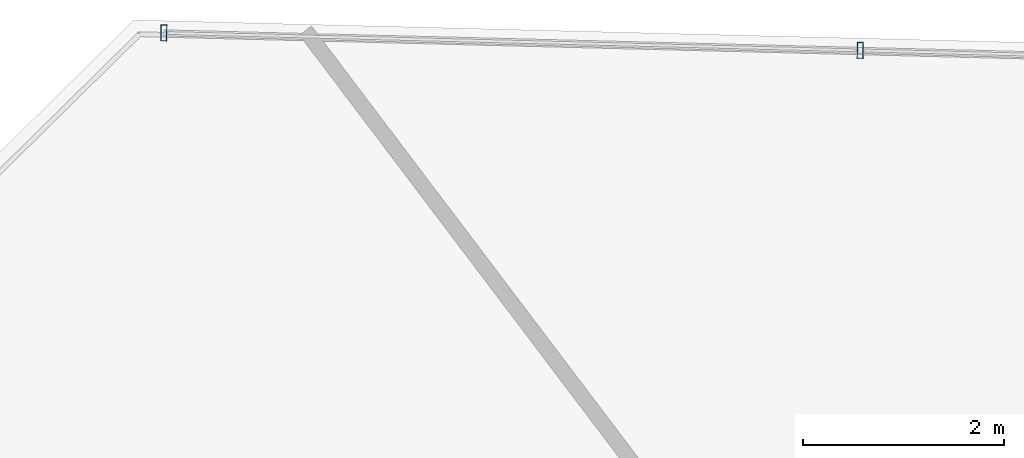
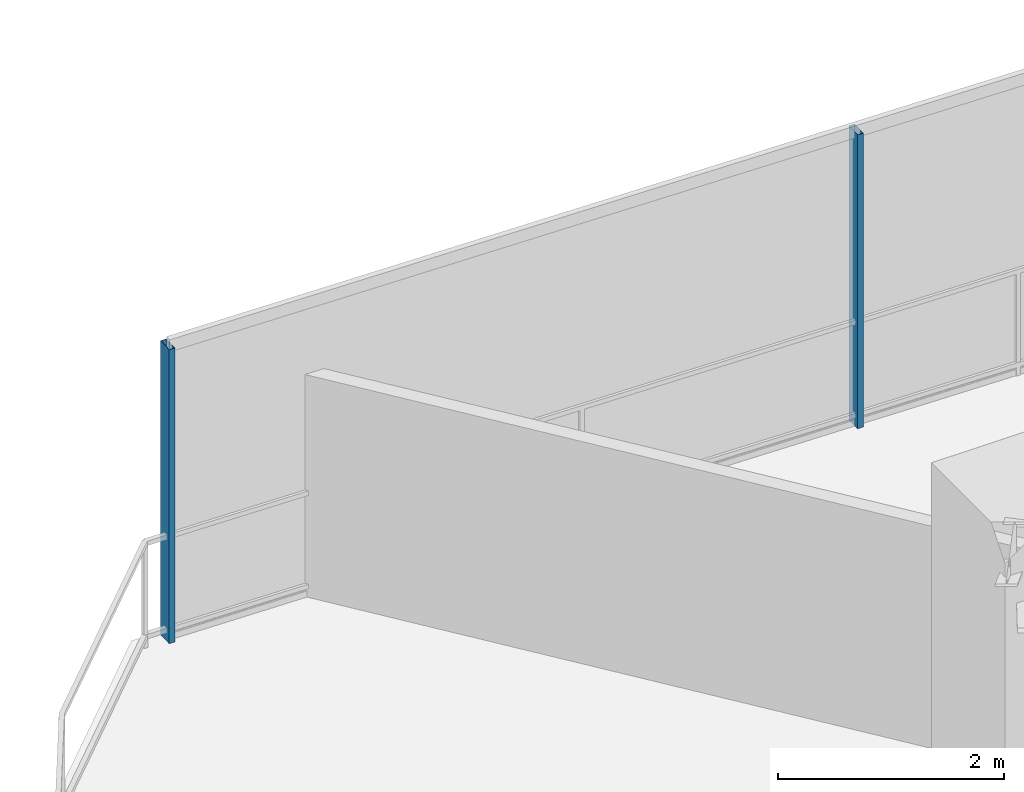
# One storey, part 16 of 30: 2 members, 1 element without a shape of its own.
"""IFC4 building model written with IfcOpenShell, lengths in metres."""

from ifc_helpers import new_model, si_unit, direction, frame, origin, origin_2d, place, context, subcontext, project, spatial, hollow_rectangle, extrude, material, layer, layer_set, material_profile, profile_set, type_object, element, aggregate, save


model = new_model("IFC4")

# Units and contexts
model_context = context("Model", 3, precision=1e-05, world=origin(), true_north=direction((0.0, 1.0)))
body_context = subcontext(model_context, "Body", "Model", "MODEL_VIEW")
ifc_project = project(units=[si_unit("LENGTHUNIT", "METRE"), si_unit("AREAUNIT", "SQUARE_METRE"), si_unit("VOLUMEUNIT", "CUBIC_METRE"), si_unit("PLANEANGLEUNIT", "RADIAN"), si_unit("MASSUNIT", "GRAM", prefix="KILO")], contexts=[model_context])

# Site, building, storey
site_placement = place(None, origin())
site = spatial("IfcSite", under=ifc_project, at=site_placement, CompositionType="ELEMENT")
building_placement = place(site_placement, origin())
building = spatial("IfcBuilding", under=site, at=building_placement, Name="Qarnah Convention Tower", CompositionType="ELEMENT")
storey_placement = place(building_placement, frame((0.0, 0.0, 61.5)))
storey = spatial("IfcBuildingStorey", under=building, at=storey_placement, Name="L15", CompositionType="ELEMENT", Elevation=61.5)

# Curtain wall, members
ifc_material_1 = material(Name="Tempered Low-E dark glass", Category="glass")
ifc_layer = layer(ifc_material_1, 0.16796875)
ifc_layer_set = layer_set([ifc_layer], Name="Tempered Low-E dark glass")
curtain_wall_type = type_object("IfcCurtainWallType", Name="CWS-01", PredefinedType="NOTDEFINED", material=ifc_layer_set)
curtain_wall_placement = place(storey_placement, origin())
curtain_wall = element("IfcCurtainWall", 1, at=curtain_wall_placement, inside=storey, type_object=curtain_wall_type, Name="L15 unitised curtain wall CW-L15-F1", PredefinedType="NOTDEFINED")
ifc_material_2 = material(Name="Black anodised aluminium", Category="aluminium")
ifc_material_profile = material_profile(ifc_material_2, hollow_rectangle(XDim=0.06005859375, YDim=0.159912109375, WallThickness=0.00390625, at=origin_2d()), Name="MUL-60X160")
ifc_profile_set = profile_set([ifc_material_profile], Name="Black anodised aluminium")
member_type = type_object("IfcMemberType", Name="MUL-T1", PredefinedType="MULLION", material=ifc_profile_set)
member_1_placement = place(storey_placement, frame((21.431884765625, 45.044921875, 0.0), z_axis=(0.0, 0.0, 1.0), x_axis=(0.999684752198, -0.025107692487, 0.0)))
member_1 = element("IfcMember", 2, at=member_1_placement, type_object=member_type, Name="CW-L15-F1 mullion 1", PredefinedType="MULLION", context=body_context, shape_type="SweptSolid", body=[
    extrude(hollow_rectangle(XDim=0.06005859375, YDim=0.159912109375, WallThickness=0.00390625, at=origin_2d()), origin(), (0.0, 0.0, 1.0), 3.169921875),
])
member_2_placement = place(storey_placement, frame((28.35205078125, 44.87109375, 0.0), z_axis=(0.0, 0.0, 1.0), x_axis=(0.999684752198, -0.025107692487, 0.0)))
member_2 = element("IfcMember", 3, at=member_2_placement, type_object=member_type, Name="CW-L15-F1 mullion 2", PredefinedType="MULLION", context=body_context, shape_type="SweptSolid", body=[
    extrude(hollow_rectangle(XDim=0.06005859375, YDim=0.159912109375, WallThickness=0.00390625, at=origin_2d()), origin(), (0.0, 0.0, 1.0), 3.169921875),
])
aggregate(curtain_wall, [member_1, member_2])

save(model, "model.ifc")
